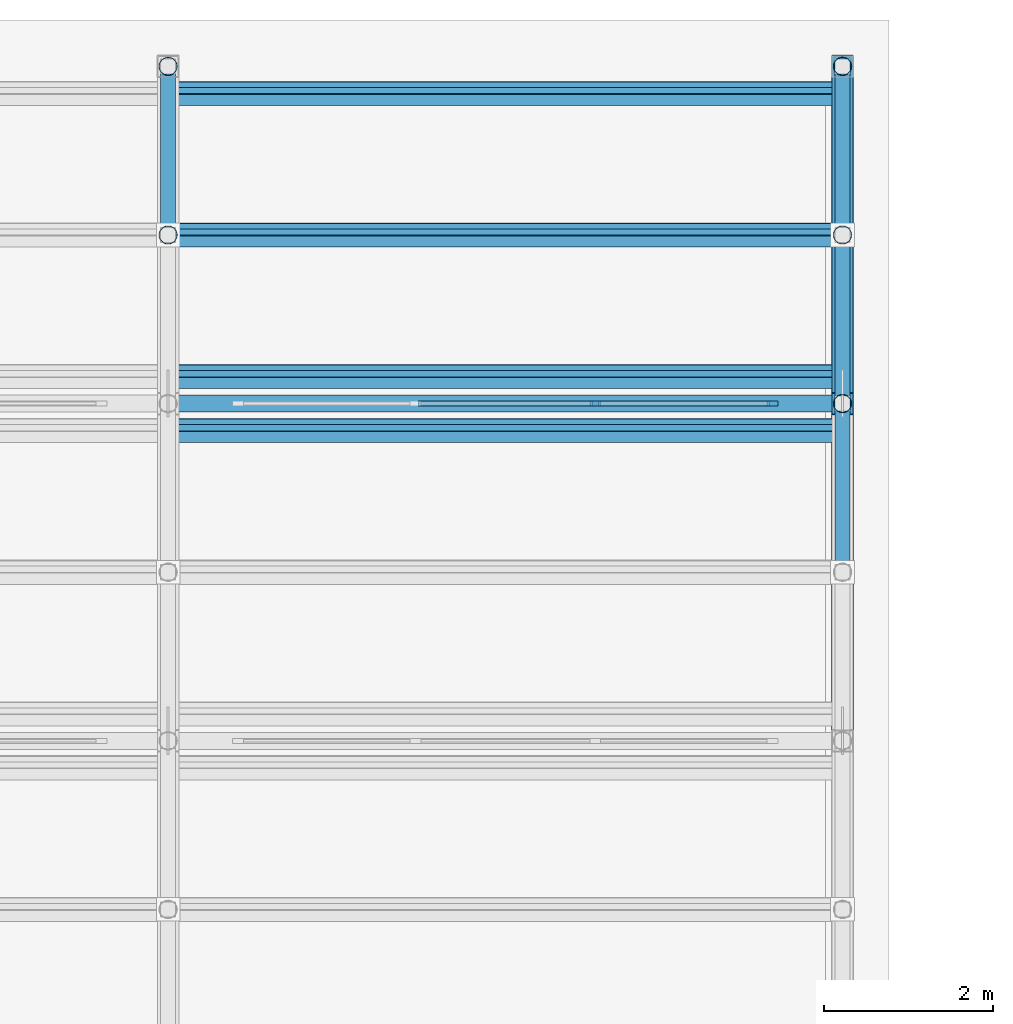
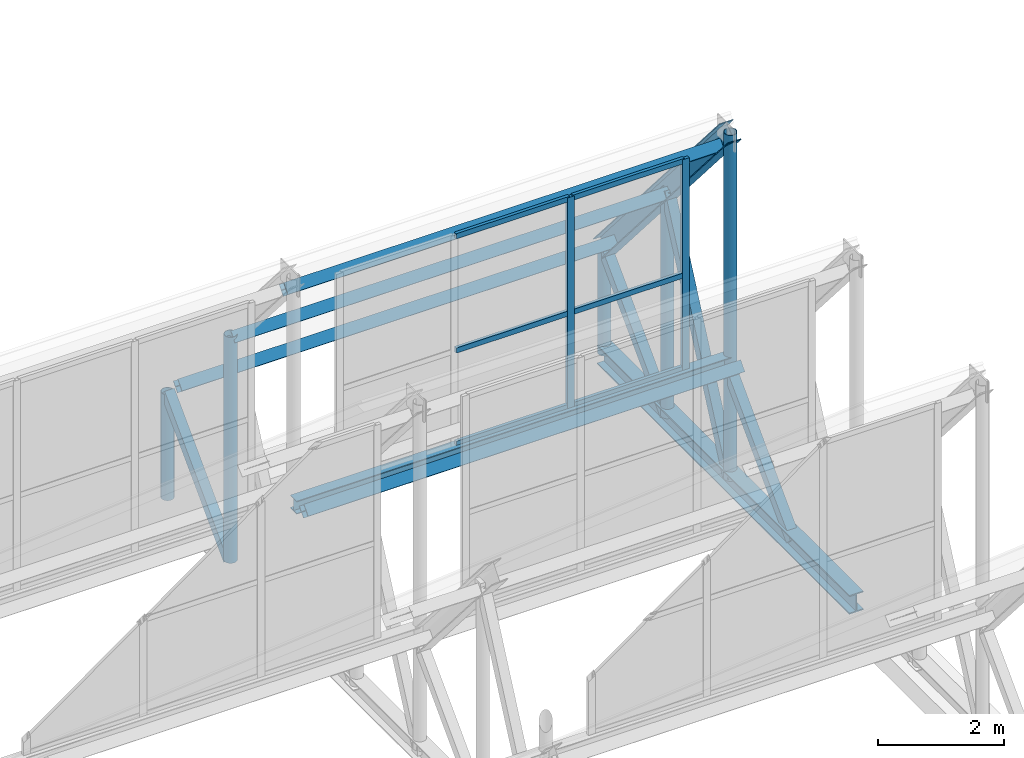
# One storey, part 28 of 43: 22 members, 2 beams, 1 element without a shape of its own.
"""IFC4 building model written with IfcOpenShell, lengths in metres."""

import ifcopenshell
import ifcopenshell.guid

model = None  # the IFC model being written
_history = None  # IfcOwnerHistory: only IFC2X3 demands one
_inside = {}  # id of a spatial element -> (the spatial element, [elements in it])
_under = {}  # id of a project, library or spatial element -> (it, [spatial elements below it])
_declared = {}  # id of a project -> (the project, [libraries it declares])
_typed = {}  # id of a type object -> (the type object, [elements of that type])
_made_of = {}  # id of a material, layer set ... -> (it, [elements and type objects made of it])


def new_model(schema):
    """Start an empty IFC model of exactly this schema.

    Asked for "IFC4X3", IfcOpenShell would pick the latest addendum, in which some entities
    have other attributes; the version numbers below select the first issue.
    IFC2X3 requires an IfcOwnerHistory on every rooted entity: one is made here for all.
    """
    global model, _history
    if schema == "IFC4X3":
        model = ifcopenshell.file(schema_version=(4, 3, 0, 0))
    else:
        model = ifcopenshell.file(schema=schema)
    _inside.clear()
    _under.clear()
    _declared.clear()
    _typed.clear()
    _made_of.clear()
    _history = None
    if model.schema == "IFC2X3":
        org = make("IfcOrganization", Name="unknown")
        user = make(
            "IfcPersonAndOrganization",
            ThePerson=make("IfcPerson", FamilyName="unknown"),
            TheOrganization=org,
        )
        app = make(
            "IfcApplication",
            ApplicationDeveloper=org,
            Version="unknown",
            ApplicationFullName="unknown",
            ApplicationIdentifier="unknown",
        )
        _history = make(
            "IfcOwnerHistory",
            OwningUser=user,
            OwningApplication=app,
            ChangeAction="ADDED",
            CreationDate=0,
        )
    return model


def make(cls, **values):
    """One entity of the class cls with the attributes given. An attribute that is None is left unset."""
    return model.create_entity(
        cls, **{name: value for name, value in values.items() if value is not None}
    )


def rooted(cls, **values):
    """An entity with a GlobalId (a new one), such as an element, a storey or a relation."""
    return make(cls, GlobalId=ifcopenshell.guid.new(), OwnerHistory=_history, **values)


def si_unit(unit_type, name, prefix=None):
    """IfcSIUnit, for example si_unit("LENGTHUNIT", "METRE", prefix="MILLI")."""
    return make("IfcSIUnit", UnitType=unit_type, Prefix=prefix, Name=name)


def assignment(units):
    """IfcUnitAssignment: the units of a project."""
    return None if units is None else make("IfcUnitAssignment", Units=units)


def point(xyz):
    """IfcCartesianPoint."""
    return None if xyz is None else make("IfcCartesianPoint", Coordinates=xyz)


def direction(xyz):
    """IfcDirection."""
    return None if xyz is None else make("IfcDirection", DirectionRatios=xyz)


def frame(location, z_axis=None, x_axis=None):
    """IfcAxis2Placement3D, a coordinate frame: its origin and axes. An axis left out is left unset."""
    return make(
        "IfcAxis2Placement3D",
        Location=point(location),
        Axis=direction(z_axis),
        RefDirection=direction(x_axis),
    )


def frame_2d(location, x_axis=None):
    """IfcAxis2Placement2D, a coordinate frame in the plane: its origin and x axis."""
    return make(
        "IfcAxis2Placement2D", Location=point(location), RefDirection=direction(x_axis)
    )


def origin():
    """The frame at (0, 0, 0) with its axes left unset."""
    return frame((0.0, 0.0, 0.0))


def origin_2d():
    """The frame at (0, 0) in the plane with its x axis left unset."""
    return frame_2d((0.0, 0.0))


def place(relative_to, where):
    """IfcLocalPlacement: puts the frame where relative to a parent placement (None: the world)."""
    return make(
        "IfcLocalPlacement", PlacementRelTo=relative_to, RelativePlacement=where
    )


def context(
    kind, dimensions, precision=None, world=None, true_north=None, identifier=None
):
    """IfcGeometricRepresentationContext, for example the 3D "Model" context."""
    return make(
        "IfcGeometricRepresentationContext",
        ContextIdentifier=identifier,
        ContextType=kind,
        CoordinateSpaceDimension=dimensions,
        Precision=precision,
        WorldCoordinateSystem=world,
        TrueNorth=true_north,
    )


def subcontext(parent, identifier, kind, view, scale=None):
    """IfcGeometricRepresentationSubContext, for example "Body" below "Model"."""
    return make(
        "IfcGeometricRepresentationSubContext",
        ContextIdentifier=identifier,
        ContextType=kind,
        ParentContext=parent,
        TargetScale=scale,
        TargetView=view,
    )


def project(units=None, contexts=None):
    """IfcProject with its units and contexts."""
    return rooted(
        "IfcProject",
        Name="project",
        RepresentationContexts=contexts,
        UnitsInContext=assignment(units),
    )


def spatial(cls, under=None, at=None, **own):
    """A site, building, storey or space (cls), placed at a placement, below another one or the project."""
    s = rooted(cls, ObjectPlacement=at, **own)
    if under is not None:
        _under.setdefault(under.id(), (under, []))[1].append(s)
    return s


def profile(cls, at=None, kind="AREA", **sizes):
    """A parametric profile (cls). Its sizes go by their IFC names, for example OverallWidth=200.0."""
    return make(cls, ProfileType=kind, Position=at, **sizes)


def rectangle(**sizes):
    """IfcRectangleProfileDef."""
    return profile("IfcRectangleProfileDef", **sizes)


def hollow_rectangle(**sizes):
    """IfcRectangleHollowProfileDef."""
    return profile("IfcRectangleHollowProfileDef", **sizes)


def hollow_circle(**sizes):
    """IfcCircleHollowProfileDef."""
    return profile("IfcCircleHollowProfileDef", **sizes)


def i_section(**sizes):
    """IfcIShapeProfileDef."""
    return profile("IfcIShapeProfileDef", **sizes)


def extrude(swept, where, along, depth):
    """IfcExtrudedAreaSolid: the profile swept, set in the frame where, extruded along a direction by depth."""
    return make(
        "IfcExtrudedAreaSolid",
        SweptArea=swept,
        Position=where,
        ExtrudedDirection=direction(along),
        Depth=depth,
    )


def shape(context_of_items, identifier, shape_type, items):
    """IfcShapeRepresentation: the items that make up one representation, for example the "Body"."""
    return make(
        "IfcShapeRepresentation",
        ContextOfItems=context_of_items,
        RepresentationIdentifier=identifier,
        RepresentationType=shape_type,
        Items=items,
    )


def material(Name=None, Category=None):
    """IfcMaterial."""
    return make("IfcMaterial", Name=Name, Category=Category)


def layer(
    of_material, thickness, ventilated=None, Name=None, Category=None, Priority=None
):
    """IfcMaterialLayer: one layer of a wall or slab, of a material (None: an air gap)."""
    return make(
        "IfcMaterialLayer",
        Material=of_material,
        LayerThickness=thickness,
        IsVentilated=ventilated,
        Name=Name,
        Category=Category,
        Priority=Priority,
    )


def layer_set(layers, Name=None):
    """IfcMaterialLayerSet."""
    return make("IfcMaterialLayerSet", MaterialLayers=layers, LayerSetName=Name)


def material_profile(
    of_material, cross_section, Name=None, Category=None, Priority=None
):
    """IfcMaterialProfile: a cross section and its material."""
    return make(
        "IfcMaterialProfile",
        Name=Name,
        Material=of_material,
        Profile=cross_section,
        Priority=Priority,
        Category=Category,
    )


def profile_set(profiles, Name=None, composite=None):
    """IfcMaterialProfileSet."""
    return make(
        "IfcMaterialProfileSet",
        Name=Name,
        MaterialProfiles=profiles,
        CompositeProfile=composite,
    )


def made_of(thing, what):
    """Note that an element or type object is made of a material, layer set ...; save() writes the relation."""
    if what is not None:
        _made_of.setdefault(what.id(), (what, []))[1].append(thing)
    return thing


def type_object(cls, material=None, **own):
    """A type object (cls), such as IfcWallType, which elements share."""
    return made_of(rooted(cls, **own), material)


def element(
    cls,
    number,
    at=None,
    inside=None,
    cuts=None,
    type_object=None,
    material=None,
    context=None,
    identifier="Body",
    shape_type=None,
    held_by="IfcProductDefinitionShape",
    body=None,
    shapes=None,
    **own,
):
    """One element of the class cls, such as IfcWall. Its Tag is "e" and its number.

    at: its placement. inside: the storey or other place that contains it. cuts: it is an
    opening in that element (IfcRelVoidsElement). A single representation is given by context,
    identifier, shape_type and body (its items); several are given by shapes. held_by: the class
    of the entity that holds the representations. save() writes the other relations.
    """
    e = rooted(cls, Tag="e%d" % number, ObjectPlacement=at, **own)
    if body is not None:
        shapes = [shape(context, identifier, shape_type, body)]
    if shapes is not None:
        e.Representation = make(held_by, Representations=shapes)
    if inside is not None:
        _inside.setdefault(inside.id(), (inside, []))[1].append(e)
    if cuts is not None:
        rooted(
            "IfcRelVoidsElement", RelatingBuildingElement=cuts, RelatedOpeningElement=e
        )
    if type_object is not None:
        _typed.setdefault(type_object.id(), (type_object, []))[1].append(e)
    return made_of(e, material)


def aggregate(whole, parts):
    """IfcRelAggregates: a whole, such as a stair, and the parts it consists of."""
    return rooted("IfcRelAggregates", RelatingObject=whole, RelatedObjects=parts)


def save(model, path):
    """Write the relations noted so far, then the file.

    IfcRelAggregates (storeys below a building ...), IfcRelContainedInSpatialStructure (elements
    in a storey), IfcRelDefinesByType, IfcRelAssociatesMaterial and IfcRelDeclares: one each for
    every whole, place, type object, material and project.
    """
    for whole, parts in _under.values():
        aggregate(whole, parts)
    for where, things in _inside.values():
        rooted(
            "IfcRelContainedInSpatialStructure",
            RelatedElements=things,
            RelatingStructure=where,
        )
    for kind, things in _typed.values():
        rooted("IfcRelDefinesByType", RelatedObjects=things, RelatingType=kind)
    for what, things in _made_of.values():
        rooted("IfcRelAssociatesMaterial", RelatedObjects=things, RelatingMaterial=what)
    for by, libraries in _declared.values():
        rooted("IfcRelDeclares", RelatingContext=by, RelatedDefinitions=libraries)
    model.write(path)


model = new_model("IFC4")

# Units and contexts
model_context = context("Model", 3, precision=1e-05, world=origin(), true_north=direction((0.0, 1.0)))
body_context = subcontext(model_context, "Body", "Model", "MODEL_VIEW")
ifc_project = project(units=[si_unit("LENGTHUNIT", "METRE"), si_unit("AREAUNIT", "SQUARE_METRE"), si_unit("VOLUMEUNIT", "CUBIC_METRE"), si_unit("PLANEANGLEUNIT", "RADIAN"), si_unit("MASSUNIT", "GRAM", prefix="KILO")], contexts=[model_context])

# Site, building, storey
site_placement = place(None, origin())
site = spatial("IfcSite", under=ifc_project, at=site_placement, CompositionType="ELEMENT")
building_placement = place(site_placement, origin())
building = spatial("IfcBuilding", under=site, at=building_placement, Name="Qorikala Patio Media Centre", CompositionType="ELEMENT")
storey_placement = place(building_placement, frame((0.0, 0.0, 18.89990234375)))
storey = spatial("IfcBuildingStorey", under=building, at=storey_placement, Name="L04", CompositionType="ELEMENT", Elevation=18.89990234375)

# Members
ifc_material_1 = material(Name="Steel S355", Category="steel")
ifc_material_profile_1 = material_profile(ifc_material_1, hollow_rectangle(XDim=0.179931640625, YDim=0.179931640625, WallThickness=0.008056640625, at=origin_2d()), Name="HSS180X180X8")
ifc_profile_set_1 = profile_set([ifc_material_profile_1], Name="Steel S355")
member_type_1 = type_object("IfcMemberType", Name="BRACE-HSS180", PredefinedType="BRACE", material=ifc_profile_set_1)
for number, where, z_axis, x_axis, name in (
    (1, (19.0, 94.0, 0.35009765625), (0.0, 0.698315330267, 0.715790262238), (-1.0, 0.0, 0.0), "SAW-V4 Truss 3 Bay 6 Web Diagonal 2"),
    (2, (27.0, 90.0, 0.35009765625), (0.0, 0.698315330267, 0.715790262238), (-1.0, 0.0, 0.0), "SAW-V4 Truss 4 Bay 5 Web Diagonal 2"),
):
    element("IfcMember", number, at=place(storey_placement, frame(where, z_axis=z_axis, x_axis=x_axis)), inside=storey, type_object=member_type_1, Name=name, PredefinedType="BRACE", context=body_context, shape_type="SweptSolid", body=[
        extrude(hollow_rectangle(XDim=0.179931640625, YDim=0.179931640625, WallThickness=0.008056640625, at=origin_2d()), origin(), (0.0, 0.0, 1.0), 2.864013671875),
    ])
member_1_placement = place(storey_placement, frame((27.0, 92.0, 0.35009765625), z_axis=(0.0, 0.415759760268, 0.909474475586), x_axis=(-1.0, 0.0, 0.0)))
element("IfcMember", 3, at=member_1_placement, inside=storey, type_object=member_type_1, Name="SAW-V4 Truss 4 Bay 6 Web Diagonal 1", PredefinedType="BRACE", context=body_context, shape_type="SweptSolid", body=[
    extrude(hollow_rectangle(XDim=0.179931640625, YDim=0.179931640625, WallThickness=0.008056640625, at=origin_2d()), origin(), (0.0, 0.0, 1.0), 4.810546875),
])
member_2_placement = place(storey_placement, frame((27.0, 94.0, 0.35009765625), z_axis=(0.0, 0.698315330267, 0.715790262238), x_axis=(-1.0, 0.0, 0.0)))
element("IfcMember", 4, at=member_2_placement, inside=storey, type_object=member_type_1, Name="SAW-V4 Truss 4 Bay 6 Web Diagonal 2", PredefinedType="BRACE", context=body_context, shape_type="SweptSolid", body=[
    extrude(hollow_rectangle(XDim=0.179931640625, YDim=0.179931640625, WallThickness=0.008056640625, at=origin_2d()), origin(), (0.0, 0.0, 1.0), 2.864013671875),
])
ifc_material_profile_2 = material_profile(ifc_material_1, i_section(OverallWidth=0.25390625, OverallDepth=0.35302734375, WebThickness=0.009521484375, FlangeThickness=0.016357421875, at=origin_2d()), Name="W360X91")
ifc_profile_set_2 = profile_set([ifc_material_profile_2], Name="Steel S355")
member_type_2 = type_object("IfcMemberType", Name="CHORD-W360X91", PredefinedType="CHORD", material=ifc_profile_set_2)
member_3_placement = place(storey_placement, frame((27.0, 92.0, 7.050048828125), z_axis=(0.0, 0.652140853929, -0.758097821285), x_axis=(-1.0, 0.0, 0.0)))
element("IfcMember", 5, at=member_3_placement, inside=storey, type_object=member_type_2, Name="SAW-V4 Truss 4 Bay 6 Sloped Top Chord", PredefinedType="CHORD", context=body_context, shape_type="SweptSolid", body=[
    extrude(i_section(OverallWidth=0.25390625, OverallDepth=0.35302734375, WebThickness=0.009521484375, FlangeThickness=0.016357421875, at=origin_2d()), origin(), (0.0, 0.0, 1.0), 6.133544921875),
])

# Curtain wall, members
ifc_material_2 = material(Name="Bronze Anodised Aluminium and Low-E Glass", Category="aluminium")
ifc_layer = layer(ifc_material_2, 0.159912109375)
ifc_layer_set = layer_set([ifc_layer], Name="Bronze Anodised Aluminium and Low-E Glass")
curtain_wall_type = type_object("IfcCurtainWallType", Name="CW-SAW-640X408", PredefinedType="USERDEFINED", material=ifc_layer_set)
curtain_wall_placement = place(storey_placement, origin())
curtain_wall = element("IfcCurtainWall", 6, at=curtain_wall_placement, inside=storey, type_object=curtain_wall_type, Name="L04 Sawtooth Glazing 159", ObjectType="SAWTOOTH GLAZING", PredefinedType="USERDEFINED")
ifc_material_3 = material(Name="Bronze Anodised Aluminium", Category="aluminium")
ifc_material_profile_3 = material_profile(ifc_material_3, rectangle(XDim=0.06005859375, YDim=0.1298828125, at=origin_2d()), Name="ALU MULLION 60x130")
ifc_profile_set_3 = profile_set([ifc_material_profile_3], Name="Bronze Anodised Aluminium")
member_type_3 = type_object("IfcMemberType", Name="CWM-60X130", PredefinedType="MULLION", material=ifc_profile_set_3)
member_4_placement = place(storey_placement, frame((24.066650390625, 92.0, 2.75), z_axis=(0.0, 0.0, 1.0), x_axis=(0.0, 1.0, 0.0)))
member_4 = element("IfcMember", 7, at=member_4_placement, type_object=member_type_3, Name="CWS640408 mullion 3", PredefinedType="MULLION", context=body_context, shape_type="SweptSolid", body=[
    extrude(rectangle(XDim=0.06005859375, YDim=0.1298828125, at=origin_2d()), origin(), (0.0, 0.0, 1.0), 4.080078125),
])
member_5_placement = place(storey_placement, frame((26.169921875, 92.0, 2.75), z_axis=(0.0, 0.0, 1.0), x_axis=(0.0, 1.0, 0.0)))
member_5 = element("IfcMember", 8, at=member_5_placement, type_object=member_type_3, Name="CWS640408 mullion 4", PredefinedType="MULLION", context=body_context, shape_type="SweptSolid", body=[
    extrude(rectangle(XDim=0.06005859375, YDim=0.1298828125, at=origin_2d()), origin(), (0.0, 0.0, 1.0), 4.080078125),
])
ifc_material_profile_4 = material_profile(ifc_material_3, rectangle(XDim=0.06005859375, YDim=0.10009765625, at=origin_2d()), Name="ALU TRANSOM 60x100")
ifc_profile_set_4 = profile_set([ifc_material_profile_4], Name="Bronze Anodised Aluminium")
member_type_4 = type_object("IfcMemberType", Name="CWT-60X100", PredefinedType="USERDEFINED", material=ifc_profile_set_4)
member_6_placement = place(storey_placement, frame((21.96337890625, 92.0, 2.780029296875), z_axis=(1.0, 0.0, 0.0), x_axis=(0.0, 1.0, 0.0)))
member_6 = element("IfcMember", 9, at=member_6_placement, type_object=member_type_4, Name="CWS640408 transom 2.1", ObjectType="TRANSOM", PredefinedType="USERDEFINED", context=body_context, shape_type="SweptSolid", body=[
    extrude(rectangle(XDim=0.06005859375, YDim=0.10009765625, at=origin_2d()), origin(), (0.0, 0.0, 1.0), 2.0732421875),
])
member_7_placement = place(storey_placement, frame((21.96337890625, 92.0, 4.586181640625), z_axis=(1.0, 0.0, 0.0), x_axis=(0.0, 1.0, 0.0)))
member_7 = element("IfcMember", 10, at=member_7_placement, type_object=member_type_4, Name="CWS640408 transom 2.2", ObjectType="TRANSOM", PredefinedType="USERDEFINED", context=body_context, shape_type="SweptSolid", body=[
    extrude(rectangle(XDim=0.06005859375, YDim=0.10009765625, at=origin_2d()), origin(), (0.0, 0.0, 1.0), 2.0732421875),
])
member_8_placement = place(storey_placement, frame((21.96337890625, 92.0, 6.800048828125), z_axis=(1.0, 0.0, 0.0), x_axis=(0.0, 1.0, 0.0)))
member_8 = element("IfcMember", 11, at=member_8_placement, type_object=member_type_4, Name="CWS640408 transom 2.3", ObjectType="TRANSOM", PredefinedType="USERDEFINED", context=body_context, shape_type="SweptSolid", body=[
    extrude(rectangle(XDim=0.06005859375, YDim=0.10009765625, at=origin_2d()), origin(), (0.0, 0.0, 1.0), 2.0732421875),
])
member_9_placement = place(storey_placement, frame((24.0966796875, 92.0, 2.780029296875), z_axis=(1.0, 0.0, 0.0), x_axis=(0.0, 1.0, 0.0)))
member_9 = element("IfcMember", 12, at=member_9_placement, type_object=member_type_4, Name="CWS640408 transom 3.1", ObjectType="TRANSOM", PredefinedType="USERDEFINED", context=body_context, shape_type="SweptSolid", body=[
    extrude(rectangle(XDim=0.06005859375, YDim=0.10009765625, at=origin_2d()), origin(), (0.0, 0.0, 1.0), 2.043212890625),
])
member_10_placement = place(storey_placement, frame((24.0966796875, 92.0, 4.586181640625), z_axis=(1.0, 0.0, 0.0), x_axis=(0.0, 1.0, 0.0)))
member_10 = element("IfcMember", 13, at=member_10_placement, type_object=member_type_4, Name="CWS640408 transom 3.2", ObjectType="TRANSOM", PredefinedType="USERDEFINED", context=body_context, shape_type="SweptSolid", body=[
    extrude(rectangle(XDim=0.06005859375, YDim=0.10009765625, at=origin_2d()), origin(), (0.0, 0.0, 1.0), 2.043212890625),
])
member_11_placement = place(storey_placement, frame((24.0966796875, 92.0, 6.800048828125), z_axis=(1.0, 0.0, 0.0), x_axis=(0.0, 1.0, 0.0)))
member_11 = element("IfcMember", 14, at=member_11_placement, type_object=member_type_4, Name="CWS640408 transom 3.3", ObjectType="TRANSOM", PredefinedType="USERDEFINED", context=body_context, shape_type="SweptSolid", body=[
    extrude(rectangle(XDim=0.06005859375, YDim=0.10009765625, at=origin_2d()), origin(), (0.0, 0.0, 1.0), 2.043212890625),
])
aggregate(curtain_wall, [member_4, member_5, member_6, member_7, member_8, member_9, member_10, member_11])

# Members
ifc_material_profile_5 = material_profile(ifc_material_1, i_section(OverallWidth=0.202880859375, OverallDepth=0.202880859375, WebThickness=0.007080078125, FlangeThickness=0.010986328125, at=origin_2d()), Name="W200X46")
ifc_profile_set_5 = profile_set([ifc_material_profile_5], Name="Steel S355")
member_type_5 = type_object("IfcMemberType", Name="PURLIN-W200X46", PredefinedType="PURLIN", material=ifc_profile_set_5)
for number, where, z_axis, x_axis, name in (
    (15, (19.0, 91.679931640625, 2.6904296875), (1.0, 0.0, 0.0), (0.0, 0.652138098758, 0.758100191366), "SAW-V4 Bay 5 Roof Purlin"),
    (16, (19.0, 92.320068359375, 6.596435546875), (1.0, 0.0, 0.0), (0.0, 0.652138098758, 0.758100191366), "SAW-V4 Bay 6 Roof Purlin"),
    (17, (19.0, 94.0, 4.643310546875), (1.0, 0.0, 0.0), (0.0, 0.652138098758, 0.758100191366), "SAW-V4 Bay 6 Roof Purlin"),
    (18, (19.0, 95.679931640625, 2.6904296875), (1.0, 0.0, 0.0), (0.0, 0.652138098758, 0.758100191366), "SAW-V4 Bay 6 Roof Purlin"),
):
    element("IfcMember", number, at=place(storey_placement, frame(where, z_axis=z_axis, x_axis=x_axis)), inside=storey, type_object=member_type_5, Name=name, PredefinedType="PURLIN", context=body_context, shape_type="SweptSolid", body=[
        extrude(i_section(OverallWidth=0.202880859375, OverallDepth=0.202880859375, WebThickness=0.007080078125, FlangeThickness=0.010986328125, at=origin_2d()), origin(), (0.0, 0.0, 1.0), 8.0),
    ])

# Beams
ifc_material_profile_6 = material_profile(ifc_material_1, i_section(OverallWidth=0.202880859375, OverallDepth=0.251953125, WebThickness=0.008056640625, FlangeThickness=0.013427734375, at=origin_2d()), Name="W250X58")
ifc_profile_set_6 = profile_set([ifc_material_profile_6], Name="Steel S355")
beam_type_1 = type_object("IfcBeamType", Name="SBM-W250X58", PredefinedType="BEAM", material=ifc_profile_set_6)
beam_1_placement = place(storey_placement, frame((19.0, 92.0, 2.625), z_axis=(1.0, 0.0, 0.0), x_axis=(0.0, 1.0, 0.0)))
element("IfcBeam", 19, at=beam_1_placement, inside=storey, type_object=beam_type_1, Name="Sawtooth V4 Clerestory Sill Beam 6.3", PredefinedType="BEAM", context=body_context, shape_type="SweptSolid", body=[
    extrude(i_section(OverallWidth=0.202880859375, OverallDepth=0.251953125, WebThickness=0.008056640625, FlangeThickness=0.013427734375, at=origin_2d()), origin(), (0.0, 0.0, 1.0), 8.0),
])
ifc_material_profile_7 = material_profile(ifc_material_1, i_section(OverallWidth=0.257080078125, OverallDepth=0.363037109375, WebThickness=0.012939453125, FlangeThickness=0.021728515625, at=origin_2d()), Name="W360X122")
ifc_profile_set_7 = profile_set([ifc_material_profile_7], Name="Steel S355")
beam_type_2 = type_object("IfcBeamType", Name="SBM-W360X122", PredefinedType="BEAM", material=ifc_profile_set_7)
beam_2_placement = place(storey_placement, frame((27.0, 88.0, 0.35009765625), z_axis=(0.0, 1.0, 0.0), x_axis=(-1.0, 0.0, 0.0)))
element("IfcBeam", 20, at=beam_2_placement, inside=storey, type_object=beam_type_2, Name="SAW-V4 Longitudinal Truss Tie Girder X=27", PredefinedType="BEAM", context=body_context, shape_type="SweptSolid", body=[
    extrude(i_section(OverallWidth=0.257080078125, OverallDepth=0.363037109375, WebThickness=0.012939453125, FlangeThickness=0.021728515625, at=origin_2d()), origin(), (0.0, 0.0, 1.0), 8.0),
])

# Members
ifc_material_profile_8 = material_profile(ifc_material_1, hollow_circle(Radius=0.109619140625, WallThickness=0.008056640625, at=origin_2d()), Name="CHS219X8")
ifc_profile_set_8 = profile_set([ifc_material_profile_8], Name="Steel S355")
member_type_6 = type_object("IfcMemberType", Name="STRUT-CHS219", PredefinedType="STRUT", material=ifc_profile_set_8)
member_12_placement = place(storey_placement, frame((19.0, 96.0, 0.35009765625), z_axis=(0.0, 0.0, 1.0), x_axis=(1.0, 0.0, 0.0)))
element("IfcMember", 21, at=member_12_placement, inside=storey, type_object=member_type_6, Name="SAW-V4 Truss 3 End Valley Post", PredefinedType="STRUT", context=body_context, shape_type="SweptSolid", body=[
    extrude(hollow_circle(Radius=0.109619140625, WallThickness=0.008056640625, at=origin_2d()), origin(), (0.0, 0.0, 1.0), 2.050048828125),
])
member_13_placement = place(storey_placement, frame((19.0, 94.0, 0.35009765625), z_axis=(0.0, 0.0, 1.0), x_axis=(1.0, 0.0, 0.0)))
element("IfcMember", 22, at=member_13_placement, inside=storey, type_object=member_type_6, Name="SAW-V4 Truss 3 Bay 6 Mid Strut", PredefinedType="STRUT", context=body_context, shape_type="SweptSolid", body=[
    extrude(hollow_circle(Radius=0.109619140625, WallThickness=0.008056640625, at=origin_2d()), origin(), (0.0, 0.0, 1.0), 4.375),
])
member_14_placement = place(storey_placement, frame((27.0, 92.0, 0.35009765625), z_axis=(0.0, 0.0, 1.0), x_axis=(1.0, 0.0, 0.0)))
element("IfcMember", 23, at=member_14_placement, inside=storey, type_object=member_type_6, Name="SAW-V4 Truss 4 Bay 6 Clerestory Post", PredefinedType="STRUT", context=body_context, shape_type="SweptSolid", body=[
    extrude(hollow_circle(Radius=0.109619140625, WallThickness=0.008056640625, at=origin_2d()), origin(), (0.0, 0.0, 1.0), 6.699951171875),
])
member_15_placement = place(storey_placement, frame((27.0, 96.0, 0.35009765625), z_axis=(0.0, 0.0, 1.0), x_axis=(1.0, 0.0, 0.0)))
element("IfcMember", 24, at=member_15_placement, inside=storey, type_object=member_type_6, Name="SAW-V4 Truss 4 End Valley Post", PredefinedType="STRUT", context=body_context, shape_type="SweptSolid", body=[
    extrude(hollow_circle(Radius=0.109619140625, WallThickness=0.008056640625, at=origin_2d()), origin(), (0.0, 0.0, 1.0), 2.050048828125),
])
member_16_placement = place(storey_placement, frame((27.0, 94.0, 0.35009765625), z_axis=(0.0, 0.0, 1.0), x_axis=(1.0, 0.0, 0.0)))
element("IfcMember", 25, at=member_16_placement, inside=storey, type_object=member_type_6, Name="SAW-V4 Truss 4 Bay 6 Mid Strut", PredefinedType="STRUT", context=body_context, shape_type="SweptSolid", body=[
    extrude(hollow_circle(Radius=0.109619140625, WallThickness=0.008056640625, at=origin_2d()), origin(), (0.0, 0.0, 1.0), 4.375),
])

save(model, "model.ifc")
